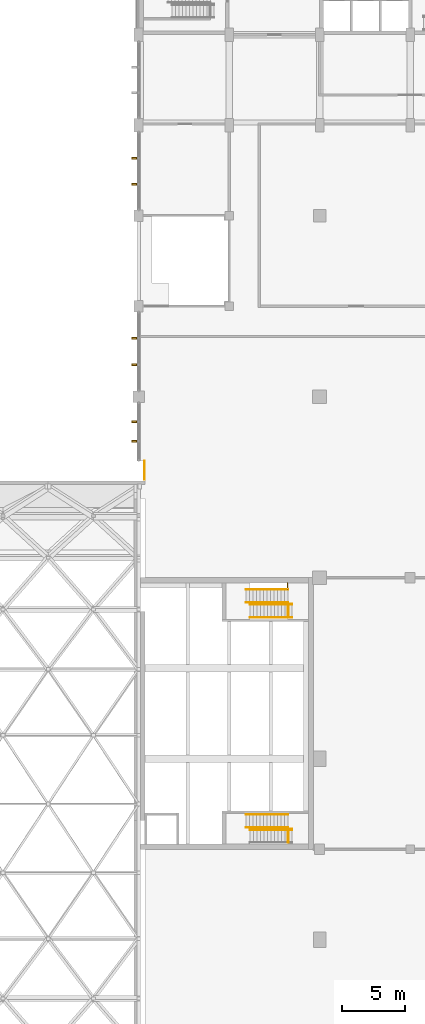
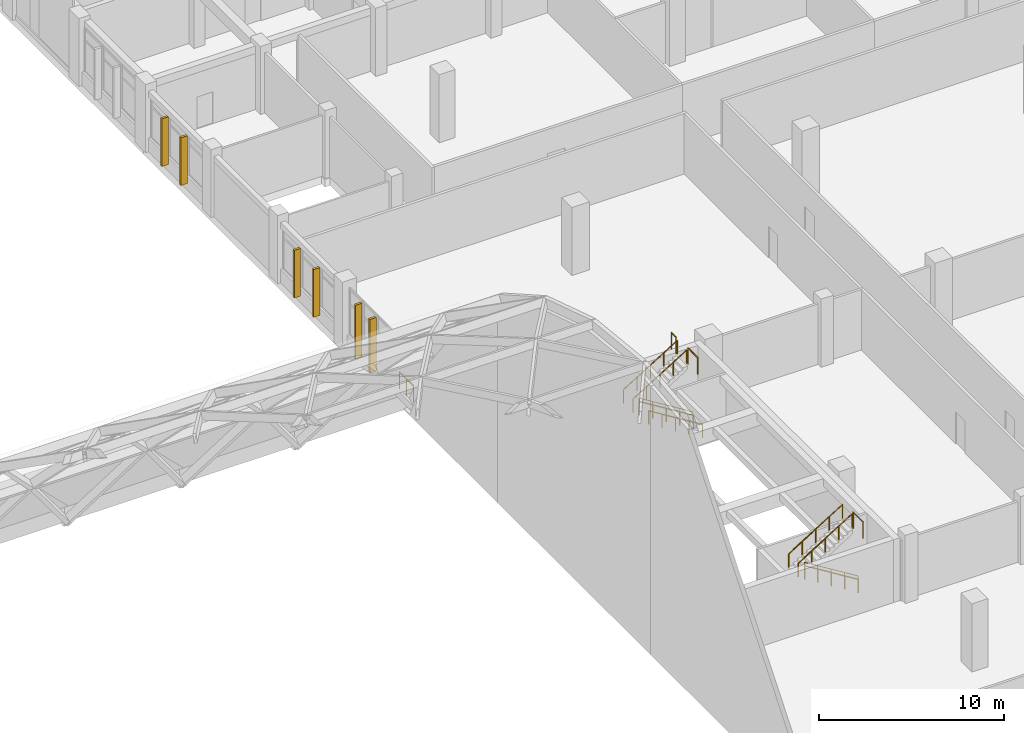
# One storey, part 51 of 52: 13 railings, 6 coverings.
"""IFC4 building model written with IfcOpenShell, lengths in metres."""

from ifc_helpers import new_model, si_unit, direction, frame, frame_2d, origin, origin_2d, place, context, subcontext, project, spatial, rectangle, circle, extrude, material, layer, layer_set, type_object, element, save


model = new_model("IFC4")

# Units and contexts
model_context = context("Model", 3, precision=1e-05, world=origin(), true_north=direction((0.0, 1.0)))
body_context = subcontext(model_context, "Body", "Model", "MODEL_VIEW")
ifc_project = project(units=[si_unit("LENGTHUNIT", "METRE"), si_unit("AREAUNIT", "SQUARE_METRE"), si_unit("VOLUMEUNIT", "CUBIC_METRE"), si_unit("PLANEANGLEUNIT", "RADIAN"), si_unit("MASSUNIT", "GRAM", prefix="KILO")], contexts=[model_context])

# Site, building, storey
site_placement = place(None, origin())
site = spatial("IfcSite", under=ifc_project, at=site_placement, CompositionType="ELEMENT")
building_placement = place(site_placement, origin())
building = spatial("IfcBuilding", under=site, at=building_placement, Name="Vermilion Court Aquatics Centre", CompositionType="ELEMENT")
storey_placement = place(building_placement, frame((0.0, 0.0, 12.0)))
storey = spatial("IfcBuildingStorey", under=building, at=storey_placement, Name="L02", CompositionType="ELEMENT", Elevation=12.0)

# Railings
ifc_material_1 = material(Name="Steel ASTM A992 Grade 50", Category="steel")
railing_type_1 = type_object("IfcRailingType", Name="Diving Tower stair guard 1100", PredefinedType="GUARDRAIL", material=ifc_material_1)
railing_1_placement = place(storey_placement, frame((156.199951171875, 37.60498046875, 0.173095703125)))
element("IfcRailing", 1, at=railing_1_placement, inside=storey, type_object=railing_type_1, Name="Stair 1 guard well L02", PredefinedType="GUARDRAIL", context=body_context, shape_type="SweptSolid", body=[
    extrude(circle(Radius=0.02392578125, at=origin_2d()), frame((0.0, 0.0, 1.076171875), z_axis=(-0.850606129759, 0.0, 0.525803396734), x_axis=(0.0, -1.0, 0.0)), (0.0, 0.0, 1.0), 3.949951171875),
    extrude(circle(Radius=0.02099609375, at=origin_2d()), origin(), (0.0, 0.0, 1.0), 1.052001953125),
    extrude(circle(Radius=0.02099609375, at=origin_2d()), frame((-0.83984375, 0.0, 0.519287109375)), (0.0, 0.0, 1.0), 1.052001953125),
    extrude(circle(Radius=0.02099609375, at=origin_2d()), frame((-1.679931640625, 0.0, 1.03857421875)), (0.0, 0.0, 1.0), 1.052001953125),
    extrude(circle(Radius=0.02099609375, at=origin_2d()), frame((-2.52001953125, 0.0, 1.5576171875)), (0.0, 0.0, 1.0), 1.052001953125),
    extrude(circle(Radius=0.02099609375, at=origin_2d()), frame((-3.35986328125, 0.0, 2.076904296875)), (0.0, 0.0, 1.0), 1.052001953125),
])
railing_2_placement = place(storey_placement, frame((155.89990234375, 37.60009765625, 4.5)))
element("IfcRailing", 2, at=railing_2_placement, inside=storey, type_object=railing_type_1, Name="Stair 1 floor edge guard L02", PredefinedType="GUARDRAIL", context=body_context, shape_type="SweptSolid", body=[
    extrude(circle(Radius=0.02392578125, at=origin_2d()), frame((0.0, 0.0, 1.076171875), z_axis=(0.0, -1.0, 0.0), x_axis=(1.0, 0.0, 0.0)), (0.0, 0.0, 1.0), 1.070068359375),
    extrude(circle(Radius=0.02099609375, at=origin_2d()), origin(), (0.0, 0.0, 1.0), 1.052001953125),
    extrude(circle(Radius=0.02099609375, at=origin_2d()), frame((0.0, -1.070068359375, 0.0)), (0.0, 0.0, 1.0), 1.052001953125),
])
railing_3_placement = place(storey_placement, frame((156.199951171875, 55.5048828125, 0.173095703125)))
element("IfcRailing", 3, at=railing_3_placement, inside=storey, type_object=railing_type_1, Name="Stair 2 guard well L02", PredefinedType="GUARDRAIL", context=body_context, shape_type="SweptSolid", body=[
    extrude(circle(Radius=0.02392578125, at=origin_2d()), frame((0.0, 0.0, 1.076171875), z_axis=(-0.850606129759, 0.0, 0.525803396734), x_axis=(0.0, -1.0, 0.0)), (0.0, 0.0, 1.0), 3.949951171875),
    extrude(circle(Radius=0.02099609375, at=origin_2d()), origin(), (0.0, 0.0, 1.0), 1.052001953125),
    extrude(circle(Radius=0.02099609375, at=origin_2d()), frame((-0.83984375, 0.0, 0.519287109375)), (0.0, 0.0, 1.0), 1.052001953125),
    extrude(circle(Radius=0.02099609375, at=origin_2d()), frame((-1.679931640625, 0.0, 1.03857421875)), (0.0, 0.0, 1.0), 1.052001953125),
    extrude(circle(Radius=0.02099609375, at=origin_2d()), frame((-2.52001953125, 0.0, 1.5576171875)), (0.0, 0.0, 1.0), 1.052001953125),
    extrude(circle(Radius=0.02099609375, at=origin_2d()), frame((-3.35986328125, 0.0, 2.076904296875)), (0.0, 0.0, 1.0), 1.052001953125),
])
railing_4_placement = place(storey_placement, frame((155.85009765625, 56.699951171875, 4.5)))
element("IfcRailing", 4, at=railing_4_placement, inside=storey, type_object=railing_type_1, Name="Stair 2 floor edge guard slot L02", PredefinedType="GUARDRAIL", context=body_context, shape_type="SweptSolid", body=[
    extrude(circle(Radius=0.02392578125, at=origin_2d()), frame((0.0, 0.0, 1.076171875), z_axis=(0.0, 1.0, 0.0), x_axis=(-1.0, 0.0, 0.0)), (0.0, 0.0, 1.0), 0.5),
    extrude(circle(Radius=0.02099609375, at=origin_2d()), origin(), (0.0, 0.0, 1.0), 1.052001953125),
    extrude(circle(Radius=0.02099609375, at=origin_2d()), frame((0.0, 0.5, 0.0)), (0.0, 0.0, 1.0), 1.052001953125),
])
railing_5_placement = place(storey_placement, frame((155.89990234375, 55.5, 4.5)))
element("IfcRailing", 5, at=railing_5_placement, inside=storey, type_object=railing_type_1, Name="Stair 2 floor edge guard L02", PredefinedType="GUARDRAIL", context=body_context, shape_type="SweptSolid", body=[
    extrude(circle(Radius=0.02392578125, at=origin_2d()), frame((0.0, 0.0, 1.076171875), z_axis=(0.0, -1.0, 0.0), x_axis=(1.0, 0.0, 0.0)), (0.0, 0.0, 1.0), 1.070068359375),
    extrude(circle(Radius=0.02099609375, at=origin_2d()), origin(), (0.0, 0.0, 1.0), 1.052001953125),
    extrude(circle(Radius=0.02099609375, at=origin_2d()), frame((0.0, -1.070068359375, 0.0)), (0.0, 0.0, 1.0), 1.052001953125),
])
ifc_material_2 = material(Name="Steel ASTM A992 Grade 50", Category="steel")
railing_type_2 = type_object("IfcRailingType", Name="Diving Tower stair handrail 900", PredefinedType="HANDRAIL", material=ifc_material_2)
railing_6_placement = place(storey_placement, frame((156.199951171875, 37.554931640625, 0.173095703125)))
element("IfcRailing", 6, at=railing_6_placement, inside=storey, type_object=railing_type_2, Name="Stair 1 handrail well L02", PredefinedType="HANDRAIL", context=body_context, shape_type="SweptSolid", body=[
    extrude(circle(Radius=0.02392578125, at=origin_2d()), frame((0.0, 0.0, 0.8759765625), z_axis=(-0.850606129759, 0.0, 0.525803396734), x_axis=(0.0, -1.0, 0.0)), (0.0, 0.0, 1.0), 3.949951171875),
    extrude(circle(Radius=0.02099609375, at=origin_2d()), origin(), (0.0, 0.0, 1.0), 0.851806640625),
    extrude(circle(Radius=0.02099609375, at=origin_2d()), frame((-0.83984375, 0.0, 0.519287109375)), (0.0, 0.0, 1.0), 0.851806640625),
    extrude(circle(Radius=0.02099609375, at=origin_2d()), frame((-1.679931640625, 0.0, 1.03857421875)), (0.0, 0.0, 1.0), 0.851806640625),
    extrude(circle(Radius=0.02099609375, at=origin_2d()), frame((-2.52001953125, 0.0, 1.5576171875)), (0.0, 0.0, 1.0), 0.851806640625),
    extrude(circle(Radius=0.02099609375, at=origin_2d()), frame((-3.35986328125, 0.0, 2.076904296875)), (0.0, 0.0, 1.0), 0.851806640625),
])
for number, where, name in (
    (7, (152.5400390625, 38.75, 2.423095703125), "Stair 1 handrail wall L02"),
    (8, (152.5400390625, 37.719970703125, 2.423095703125), "Stair 1 handrail well L02"),
):
    element("IfcRailing", number, at=place(storey_placement, frame(where)), inside=storey, type_object=railing_type_2, Name=name, PredefinedType="HANDRAIL", context=body_context, shape_type="SweptSolid", body=[
        extrude(circle(Radius=0.02392578125, at=origin_2d()), frame((0.0, 0.0, 0.8759765625), z_axis=(0.850606129759, 0.0, 0.525803396734), x_axis=(0.0, 1.0, 0.0)), (0.0, 0.0, 1.0), 3.949951171875),
        extrude(circle(Radius=0.02099609375, at=origin_2d()), origin(), (0.0, 0.0, 1.0), 0.851806640625),
        extrude(circle(Radius=0.02099609375, at=origin_2d()), frame((0.83984375, 0.0, 0.519287109375)), (0.0, 0.0, 1.0), 0.851806640625),
        extrude(circle(Radius=0.02099609375, at=origin_2d()), frame((1.679931640625, 0.0, 1.03857421875)), (0.0, 0.0, 1.0), 0.851806640625),
        extrude(circle(Radius=0.02099609375, at=origin_2d()), frame((2.52001953125, 0.0, 1.5576171875)), (0.0, 0.0, 1.0), 0.851806640625),
        extrude(circle(Radius=0.02099609375, at=origin_2d()), frame((3.35986328125, 0.0, 2.076904296875)), (0.0, 0.0, 1.0), 0.851806640625),
    ])
for number, where, name in (
    (9, (156.199951171875, 54.449951171875, 0.173095703125), "Stair 2 handrail wall L02"),
    (10, (156.199951171875, 55.455078125, 0.173095703125), "Stair 2 handrail well L02"),
):
    element("IfcRailing", number, at=place(storey_placement, frame(where)), inside=storey, type_object=railing_type_2, Name=name, PredefinedType="HANDRAIL", context=body_context, shape_type="SweptSolid", body=[
        extrude(circle(Radius=0.02392578125, at=origin_2d()), frame((0.0, 0.0, 0.8759765625), z_axis=(-0.850606129759, 0.0, 0.525803396734), x_axis=(0.0, -1.0, 0.0)), (0.0, 0.0, 1.0), 3.949951171875),
        extrude(circle(Radius=0.02099609375, at=origin_2d()), origin(), (0.0, 0.0, 1.0), 0.851806640625),
        extrude(circle(Radius=0.02099609375, at=origin_2d()), frame((-0.83984375, 0.0, 0.519287109375)), (0.0, 0.0, 1.0), 0.851806640625),
        extrude(circle(Radius=0.02099609375, at=origin_2d()), frame((-1.679931640625, 0.0, 1.03857421875)), (0.0, 0.0, 1.0), 0.851806640625),
        extrude(circle(Radius=0.02099609375, at=origin_2d()), frame((-2.52001953125, 0.0, 1.5576171875)), (0.0, 0.0, 1.0), 0.851806640625),
        extrude(circle(Radius=0.02099609375, at=origin_2d()), frame((-3.35986328125, 0.0, 2.076904296875)), (0.0, 0.0, 1.0), 0.851806640625),
    ])
for number, where, name in (
    (11, (152.5400390625, 56.64990234375, 2.423095703125), "Stair 2 handrail wall L02"),
    (12, (152.5400390625, 55.6201171875, 2.423095703125), "Stair 2 handrail well L02"),
):
    element("IfcRailing", number, at=place(storey_placement, frame(where)), inside=storey, type_object=railing_type_2, Name=name, PredefinedType="HANDRAIL", context=body_context, shape_type="SweptSolid", body=[
        extrude(circle(Radius=0.02392578125, at=origin_2d()), frame((0.0, 0.0, 0.8759765625), z_axis=(0.850606129759, 0.0, 0.525803396734), x_axis=(0.0, 1.0, 0.0)), (0.0, 0.0, 1.0), 3.949951171875),
        extrude(circle(Radius=0.02099609375, at=origin_2d()), origin(), (0.0, 0.0, 1.0), 0.851806640625),
        extrude(circle(Radius=0.02099609375, at=origin_2d()), frame((0.83984375, 0.0, 0.519287109375)), (0.0, 0.0, 1.0), 0.851806640625),
        extrude(circle(Radius=0.02099609375, at=origin_2d()), frame((1.679931640625, 0.0, 1.03857421875)), (0.0, 0.0, 1.0), 0.851806640625),
        extrude(circle(Radius=0.02099609375, at=origin_2d()), frame((2.52001953125, 0.0, 1.5576171875)), (0.0, 0.0, 1.0), 0.851806640625),
        extrude(circle(Radius=0.02099609375, at=origin_2d()), frame((3.35986328125, 0.0, 2.076904296875)), (0.0, 0.0, 1.0), 0.851806640625),
    ])
ifc_material_3 = material(Name="Steel ASTM A992 Grade 50", Category="steel")
railing_type_3 = type_object("IfcRailingType", Name="Podium floor edge guard 1100", PredefinedType="GUARDRAIL", material=ifc_material_3)
railing_7_placement = place(storey_placement, frame((144.449951171875, 65.39990234375, 0.0)))
element("IfcRailing", 13, at=railing_7_placement, inside=storey, type_object=railing_type_3, Name="Floor edge guard L02", PredefinedType="GUARDRAIL", context=body_context, shape_type="SweptSolid", body=[
    extrude(circle(Radius=0.02392578125, at=origin_2d()), frame((0.0, 0.0, 1.076171875), z_axis=(0.0, 1.0, 0.0), x_axis=(-1.0, 0.0, 0.0)), (0.0, 0.0, 1.0), 1.5),
    extrude(circle(Radius=0.02099609375, at=origin_2d()), origin(), (0.0, 0.0, 1.0), 1.052001953125),
    extrude(circle(Radius=0.02099609375, at=origin_2d()), frame((0.0, 0.75, 0.0)), (0.0, 0.0, 1.0), 1.052001953125),
    extrude(circle(Radius=0.02099609375, at=origin_2d()), frame((0.0, 1.5, 0.0)), (0.0, 0.0, 1.0), 1.052001953125),
])

# Coverings
ifc_material_4 = material(Name="Terracotta cladding", Category="masonry")
ifc_layer = layer(ifc_material_4, 0.14990234375)
ifc_layer_set = layer_set([ifc_layer], Name="Podium terracotta sunscreen fin 150")
covering_type = type_object("IfcCoveringType", Name="Podium terracotta sunscreen fin 150", PredefinedType="CLADDING", material=ifc_layer_set)
for number, where, z_axis, x_axis, name in (
    (14, (143.85009765625, 68.449951171875, 0.449951171875), (0.0, 0.0, 1.0), (-1.0, 0.0, 0.0), "Sunscreen fin L02"),
    (15, (143.85009765625, 70.0, 0.449951171875), (0.0, 0.0, 1.0), (-1.0, 0.0, 0.0), "Sunscreen fin L02"),
):
    element("IfcCovering", number, at=place(storey_placement, frame(where, z_axis=z_axis, x_axis=x_axis)), inside=storey, type_object=covering_type, Name=name, PredefinedType="CLADDING", context=body_context, shape_type="SweptSolid", body=[
        extrude(rectangle(XDim=0.400146484375, YDim=0.14990234375, at=frame_2d((0.2001953125, 0.0))), origin(), (0.0, 0.0, 1.0), 3.550048828125),
    ])
for number, where, z_axis, x_axis, name in (
    (16, (143.85009765625, 74.550048828125, 0.449951171875), (0.0, 0.0, 1.0), (-1.0, 0.0, 0.0), "Sunscreen fin L02"),
    (17, (143.85009765625, 76.64990234375, 0.449951171875), (0.0, 0.0, 1.0), (-1.0, 0.0, 0.0), "Sunscreen fin L02"),
    (18, (143.85009765625, 88.916748046875, 0.449951171875), (0.0, 0.0, 1.0), (-1.0, 0.0, 0.0), "Sunscreen fin L02"),
    (19, (143.85009765625, 90.9833984375, 0.449951171875), (0.0, 0.0, 1.0), (-1.0, 0.0, 0.0), "Sunscreen fin L02"),
):
    element("IfcCovering", number, at=place(storey_placement, frame(where, z_axis=z_axis, x_axis=x_axis)), inside=storey, type_object=covering_type, Name=name, PredefinedType="CLADDING", context=body_context, shape_type="SweptSolid", body=[
        extrude(rectangle(XDim=0.400146484375, YDim=0.14990234375, at=frame_2d((0.2001953125, 0.0))), origin(), (0.0, 0.0, 1.0), 3.150146484375),
    ])

save(model, "model.ifc")
